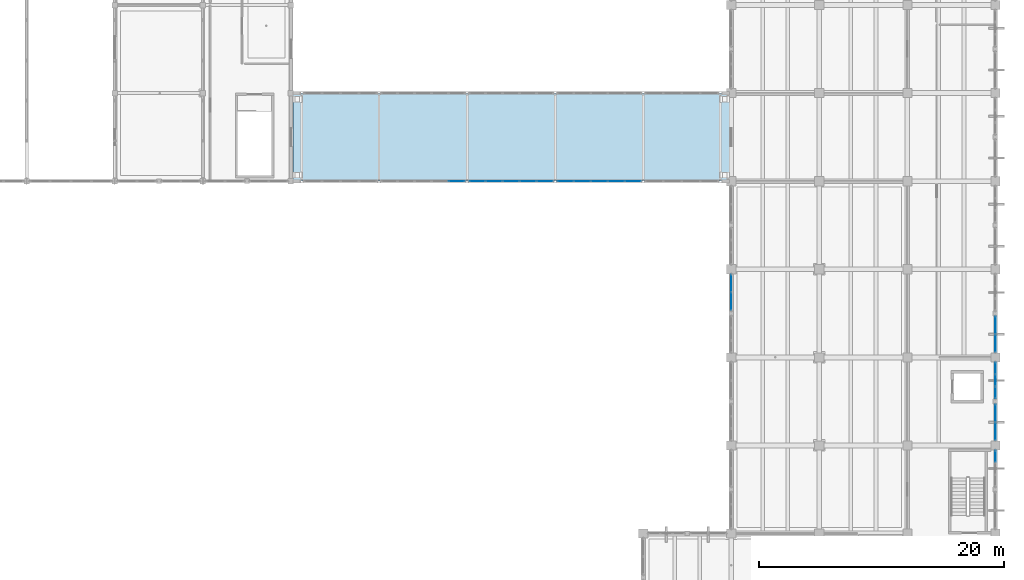
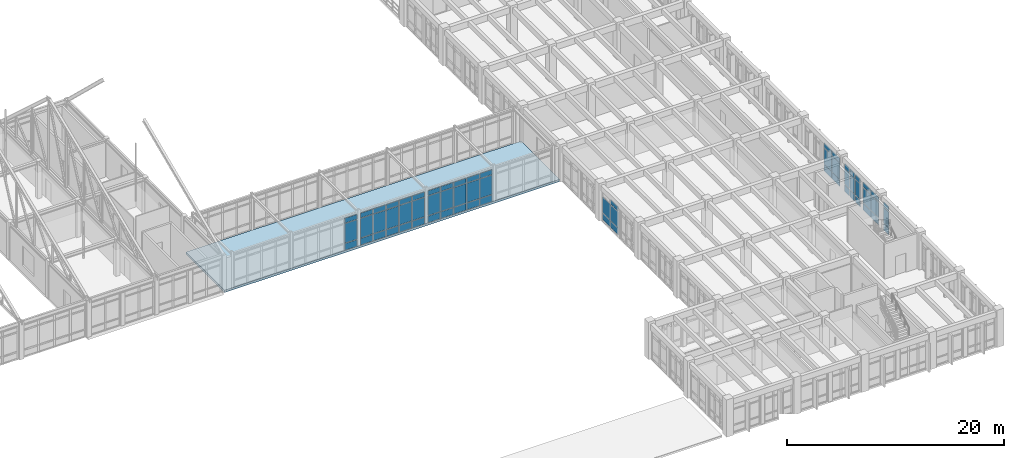
# One storey, part 89 of 136: 62 plates, 1 slab, 8 elements without a shape of their own.
"""IFC4 building model written with IfcOpenShell, lengths in metres."""

from ifc_helpers import new_model, si_unit, direction, frame, origin, origin_2d, place, context, subcontext, project, spatial, polyline, rectangle, outline, extrude, material, layer, layer_set, type_object, element, aggregate, save


model = new_model("IFC4")

# Units and contexts
model_context = context("Model", 3, precision=1e-05, world=origin(), true_north=direction((0.0, 1.0)))
body_context = subcontext(model_context, "Body", "Model", "MODEL_VIEW")
ifc_project = project(units=[si_unit("LENGTHUNIT", "METRE"), si_unit("AREAUNIT", "SQUARE_METRE"), si_unit("VOLUMEUNIT", "CUBIC_METRE"), si_unit("PLANEANGLEUNIT", "RADIAN"), si_unit("MASSUNIT", "GRAM", prefix="KILO")], contexts=[model_context])

# Site, building, storey
site_placement = place(None, origin())
site = spatial("IfcSite", under=ifc_project, at=site_placement, CompositionType="ELEMENT")
building_placement = place(site_placement, origin())
building = spatial("IfcBuilding", under=site, at=building_placement, Name="Koriwan Promenade Central Fire Station", CompositionType="ELEMENT")
storey_placement = place(building_placement, frame((0.0, 0.0, 5.39990234375)))
storey = spatial("IfcBuildingStorey", under=building, at=storey_placement, Name="L01", CompositionType="ELEMENT", Elevation=5.39990234375)

# Curtain wall, plates
ifc_material_1 = material(Name="Aluminium EN AW-6063-T6 and low-E glazing", Category="aluminium")
ifc_layer_1 = layer(ifc_material_1, 0.159912109375, Name="Aluminium EN AW-6063-T6 and low-E glazing")
ifc_layer_set_1 = layer_set([ifc_layer_1], Name="Aluminium EN AW-6063-T6 and low-E glazing")
curtain_wall_type_1 = type_object("IfcCurtainWallType", Name="CurtainWall_68_302x334", PredefinedType="USERDEFINED", material=ifc_layer_set_1)
curtain_wall_1_placement = place(storey_placement, origin())
curtain_wall_1 = element("IfcCurtainWall", 1, at=curtain_wall_1_placement, inside=storey, type_object=curtain_wall_type_1, Name="V5 L01 unitised curtain wall 180", ObjectType="UNITISED CURTAIN WALL", PredefinedType="USERDEFINED")
ifc_material_2 = material(Name="Solar-control low-E acoustic glazing", Category="glass")
ifc_layer_2 = layer(ifc_material_2, 0.031982421875, Name="Solar-control low-E acoustic glazing")
ifc_layer_set_2 = layer_set([ifc_layer_2], Name="Solar-control low-E acoustic glazing")
plate_type = type_object("IfcPlateType", Name="CWPanel_32", PredefinedType="CURTAIN_PANEL", material=ifc_layer_set_2)
plate_1_placement = place(storey_placement, frame((151.199951171875, 33.375, 0.0751953125), z_axis=(0.0, 0.0, 1.0), x_axis=(0.0, 1.0, 0.0)))
plate_1 = element("IfcPlate", 2, at=plate_1_placement, type_object=plate_type, Name="CW-68 panel 1.1", PredefinedType="CURTAIN_PANEL", context=body_context, shape_type="SweptSolid", body=[
    extrude(rectangle(XDim=1.39990234375, YDim=0.031982421875, at=origin_2d()), origin(), (0.0, 0.0, 1.0), 0.737548828125),
])
plate_2_placement = place(storey_placement, frame((151.199951171875, 33.375, 0.8876953125), z_axis=(0.0, 0.0, 1.0), x_axis=(0.0, 1.0, 0.0)))
plate_2 = element("IfcPlate", 3, at=plate_2_placement, type_object=plate_type, Name="CW-68 panel 1.2", PredefinedType="CURTAIN_PANEL", context=body_context, shape_type="SweptSolid", body=[
    extrude(rectangle(XDim=1.39990234375, YDim=0.031982421875, at=origin_2d()), origin(), (0.0, 0.0, 1.0), 1.764892578125),
])
plate_3_placement = place(storey_placement, frame((151.199951171875, 33.375, 2.7275390625), z_axis=(0.0, 0.0, 1.0), x_axis=(0.0, 1.0, 0.0)))
plate_3 = element("IfcPlate", 4, at=plate_3_placement, type_object=plate_type, Name="CW-68 panel 1.3", PredefinedType="CURTAIN_PANEL", context=body_context, shape_type="SweptSolid", body=[
    extrude(rectangle(XDim=1.39990234375, YDim=0.031982421875, at=origin_2d()), origin(), (0.0, 0.0, 1.0), 0.53759765625),
])
plate_4_placement = place(storey_placement, frame((151.199951171875, 34.85009765625, 0.0751953125), z_axis=(0.0, 0.0, 1.0), x_axis=(0.0, 1.0, 0.0)))
plate_4 = element("IfcPlate", 5, at=plate_4_placement, type_object=plate_type, Name="CW-68 panel 2.1", PredefinedType="CURTAIN_PANEL", context=body_context, shape_type="SweptSolid", body=[
    extrude(rectangle(XDim=1.39990234375, YDim=0.031982421875, at=origin_2d()), origin(), (0.0, 0.0, 1.0), 0.737548828125),
])
plate_5_placement = place(storey_placement, frame((151.199951171875, 34.85009765625, 0.8876953125), z_axis=(0.0, 0.0, 1.0), x_axis=(0.0, 1.0, 0.0)))
plate_5 = element("IfcPlate", 6, at=plate_5_placement, type_object=plate_type, Name="CW-68 panel 2.2", PredefinedType="CURTAIN_PANEL", context=body_context, shape_type="SweptSolid", body=[
    extrude(rectangle(XDim=1.39990234375, YDim=0.031982421875, at=origin_2d()), origin(), (0.0, 0.0, 1.0), 1.764892578125),
])
aggregate(curtain_wall_1, [plate_1, plate_2, plate_3, plate_4, plate_5])

ifc_layer_3 = layer(ifc_material_1, 0.159912109375, Name="Aluminium EN AW-6063-T6 and low-E glazing")
ifc_layer_set_3 = layer_set([ifc_layer_3], Name="Aluminium EN AW-6063-T6 and low-E glazing")
curtain_wall_type_2 = type_object("IfcCurtainWallType", Name="CurtainWall_64_303x334", PredefinedType="USERDEFINED", material=ifc_layer_set_3)
curtain_wall_2_placement = place(storey_placement, origin())
curtain_wall_2 = element("IfcCurtainWall", 7, at=curtain_wall_2_placement, inside=storey, type_object=curtain_wall_type_2, Name="V5 L01 unitised curtain wall 200", ObjectType="UNITISED CURTAIN WALL", PredefinedType="USERDEFINED")
plate_6_placement = place(storey_placement, frame((172.800048828125, 31.425048828125, 0.0751953125), z_axis=(0.0, 0.0, 1.0), x_axis=(0.0, -1.0, 0.0)))
plate_6 = element("IfcPlate", 8, at=plate_6_placement, type_object=plate_type, Name="CW-64 panel 1.1", PredefinedType="CURTAIN_PANEL", context=body_context, shape_type="SweptSolid", body=[
    extrude(rectangle(XDim=1.39990234375, YDim=0.031982421875, at=origin_2d()), origin(), (0.0, 0.0, 1.0), 0.737548828125),
])
plate_7_placement = place(storey_placement, frame((172.800048828125, 31.425048828125, 0.8876953125), z_axis=(0.0, 0.0, 1.0), x_axis=(0.0, -1.0, 0.0)))
plate_7 = element("IfcPlate", 9, at=plate_7_placement, type_object=plate_type, Name="CW-64 panel 1.2", PredefinedType="CURTAIN_PANEL", context=body_context, shape_type="SweptSolid", body=[
    extrude(rectangle(XDim=1.39990234375, YDim=0.031982421875, at=origin_2d()), origin(), (0.0, 0.0, 1.0), 1.764892578125),
])
plate_8_placement = place(storey_placement, frame((172.800048828125, 31.425048828125, 2.7275390625), z_axis=(0.0, 0.0, 1.0), x_axis=(0.0, -1.0, 0.0)))
plate_8 = element("IfcPlate", 10, at=plate_8_placement, type_object=plate_type, Name="CW-64 panel 1.3", PredefinedType="CURTAIN_PANEL", context=body_context, shape_type="SweptSolid", body=[
    extrude(rectangle(XDim=1.39990234375, YDim=0.031982421875, at=origin_2d()), origin(), (0.0, 0.0, 1.0), 0.53759765625),
])
plate_9_placement = place(storey_placement, frame((172.800048828125, 29.949951171875, 0.0751953125), z_axis=(0.0, 0.0, 1.0), x_axis=(0.0, -1.0, 0.0)))
plate_9 = element("IfcPlate", 11, at=plate_9_placement, type_object=plate_type, Name="CW-64 panel 2.1", PredefinedType="CURTAIN_PANEL", context=body_context, shape_type="SweptSolid", body=[
    extrude(rectangle(XDim=1.39990234375, YDim=0.031982421875, at=origin_2d()), origin(), (0.0, 0.0, 1.0), 0.737548828125),
])
plate_10_placement = place(storey_placement, frame((172.800048828125, 29.949951171875, 0.8876953125), z_axis=(0.0, 0.0, 1.0), x_axis=(0.0, -1.0, 0.0)))
plate_10 = element("IfcPlate", 12, at=plate_10_placement, type_object=plate_type, Name="CW-64 panel 2.2", PredefinedType="CURTAIN_PANEL", context=body_context, shape_type="SweptSolid", body=[
    extrude(rectangle(XDim=1.39990234375, YDim=0.031982421875, at=origin_2d()), origin(), (0.0, 0.0, 1.0), 1.764892578125),
])
plate_11_placement = place(storey_placement, frame((172.800048828125, 29.949951171875, 2.7275390625), z_axis=(0.0, 0.0, 1.0), x_axis=(0.0, -1.0, 0.0)))
plate_11 = element("IfcPlate", 13, at=plate_11_placement, type_object=plate_type, Name="CW-64 panel 2.3", PredefinedType="CURTAIN_PANEL", context=body_context, shape_type="SweptSolid", body=[
    extrude(rectangle(XDim=1.39990234375, YDim=0.031982421875, at=origin_2d()), origin(), (0.0, 0.0, 1.0), 0.53759765625),
])
aggregate(curtain_wall_2, [plate_6, plate_7, plate_8, plate_9, plate_10, plate_11])

ifc_layer_4 = layer(ifc_material_1, 0.159912109375, Name="Aluminium EN AW-6063-T6 and low-E glazing")
ifc_layer_set_4 = layer_set([ifc_layer_4], Name="Aluminium EN AW-6063-T6 and low-E glazing")
curtain_wall_type_3 = type_object("IfcCurtainWallType", Name="CurtainWall_61_303x329", PredefinedType="USERDEFINED", material=ifc_layer_set_4)
curtain_wall_3_placement = place(storey_placement, origin())
curtain_wall_3 = element("IfcCurtainWall", 14, at=curtain_wall_3_placement, inside=storey, type_object=curtain_wall_type_3, Name="V5 L01 unitised curtain wall 201", ObjectType="UNITISED CURTAIN WALL", PredefinedType="USERDEFINED")
plate_12_placement = place(storey_placement, frame((172.800048828125, 27.902099609375, 0.0751953125), z_axis=(0.0, 0.0, 1.0), x_axis=(0.0, -1.0, 0.0)))
plate_12 = element("IfcPlate", 15, at=plate_12_placement, type_object=plate_type, Name="CW-61 panel 1.1", PredefinedType="CURTAIN_PANEL", context=body_context, shape_type="SweptSolid", body=[
    extrude(rectangle(XDim=0.895751953125, YDim=0.031982421875, at=origin_2d()), origin(), (0.0, 0.0, 1.0), 0.737548828125),
])
plate_13_placement = place(storey_placement, frame((172.800048828125, 27.902099609375, 0.8876953125), z_axis=(0.0, 0.0, 1.0), x_axis=(0.0, -1.0, 0.0)))
plate_13 = element("IfcPlate", 16, at=plate_13_placement, type_object=plate_type, Name="CW-61 panel 1.2", PredefinedType="CURTAIN_PANEL", context=body_context, shape_type="SweptSolid", body=[
    extrude(rectangle(XDim=0.895751953125, YDim=0.031982421875, at=origin_2d()), origin(), (0.0, 0.0, 1.0), 1.715087890625),
])
plate_14_placement = place(storey_placement, frame((172.800048828125, 27.902099609375, 2.677490234375), z_axis=(0.0, 0.0, 1.0), x_axis=(0.0, -1.0, 0.0)))
plate_14 = element("IfcPlate", 17, at=plate_14_placement, type_object=plate_type, Name="CW-61 panel 1.3", PredefinedType="CURTAIN_PANEL", context=body_context, shape_type="SweptSolid", body=[
    extrude(rectangle(XDim=0.895751953125, YDim=0.031982421875, at=origin_2d()), origin(), (0.0, 0.0, 1.0), 0.53759765625),
])
plate_15_placement = place(storey_placement, frame((172.800048828125, 26.91259765625, 0.0751953125), z_axis=(0.0, 0.0, 1.0), x_axis=(0.0, -1.0, 0.0)))
plate_15 = element("IfcPlate", 18, at=plate_15_placement, type_object=plate_type, Name="CW-61 panel 2.1", PredefinedType="CURTAIN_PANEL", context=body_context, shape_type="SweptSolid", body=[
    extrude(rectangle(XDim=0.933349609375, YDim=0.031982421875, at=origin_2d()), origin(), (0.0, 0.0, 1.0), 0.737548828125),
])
plate_16_placement = place(storey_placement, frame((172.800048828125, 26.91259765625, 0.8876953125), z_axis=(0.0, 0.0, 1.0), x_axis=(0.0, -1.0, 0.0)))
plate_16 = element("IfcPlate", 19, at=plate_16_placement, type_object=plate_type, Name="CW-61 panel 2.2", PredefinedType="CURTAIN_PANEL", context=body_context, shape_type="SweptSolid", body=[
    extrude(rectangle(XDim=0.933349609375, YDim=0.031982421875, at=origin_2d()), origin(), (0.0, 0.0, 1.0), 1.715087890625),
])
plate_17_placement = place(storey_placement, frame((172.800048828125, 26.91259765625, 2.677490234375), z_axis=(0.0, 0.0, 1.0), x_axis=(0.0, -1.0, 0.0)))
plate_17 = element("IfcPlate", 20, at=plate_17_placement, type_object=plate_type, Name="CW-61 panel 2.3", PredefinedType="CURTAIN_PANEL", context=body_context, shape_type="SweptSolid", body=[
    extrude(rectangle(XDim=0.933349609375, YDim=0.031982421875, at=origin_2d()), origin(), (0.0, 0.0, 1.0), 0.53759765625),
])
plate_18_placement = place(storey_placement, frame((172.800048828125, 25.9228515625, 0.0751953125), z_axis=(0.0, 0.0, 1.0), x_axis=(0.0, -1.0, 0.0)))
plate_18 = element("IfcPlate", 21, at=plate_18_placement, type_object=plate_type, Name="CW-61 panel 3.1", PredefinedType="CURTAIN_PANEL", context=body_context, shape_type="SweptSolid", body=[
    extrude(rectangle(XDim=0.895751953125, YDim=0.031982421875, at=origin_2d()), origin(), (0.0, 0.0, 1.0), 0.737548828125),
])
plate_19_placement = place(storey_placement, frame((172.800048828125, 25.9228515625, 0.8876953125), z_axis=(0.0, 0.0, 1.0), x_axis=(0.0, -1.0, 0.0)))
plate_19 = element("IfcPlate", 22, at=plate_19_placement, type_object=plate_type, Name="CW-61 panel 3.2", PredefinedType="CURTAIN_PANEL", context=body_context, shape_type="SweptSolid", body=[
    extrude(rectangle(XDim=0.895751953125, YDim=0.031982421875, at=origin_2d()), origin(), (0.0, 0.0, 1.0), 1.715087890625),
])
plate_20_placement = place(storey_placement, frame((172.800048828125, 25.9228515625, 2.677490234375), z_axis=(0.0, 0.0, 1.0), x_axis=(0.0, -1.0, 0.0)))
plate_20 = element("IfcPlate", 23, at=plate_20_placement, type_object=plate_type, Name="CW-61 panel 3.3", PredefinedType="CURTAIN_PANEL", context=body_context, shape_type="SweptSolid", body=[
    extrude(rectangle(XDim=0.895751953125, YDim=0.031982421875, at=origin_2d()), origin(), (0.0, 0.0, 1.0), 0.53759765625),
])
aggregate(curtain_wall_3, [plate_12, plate_13, plate_14, plate_15, plate_16, plate_17, plate_18, plate_19, plate_20])

ifc_layer_5 = layer(ifc_material_1, 0.159912109375, Name="Aluminium EN AW-6063-T6 and low-E glazing")
ifc_layer_set_5 = layer_set([ifc_layer_5], Name="Aluminium EN AW-6063-T6 and low-E glazing")
curtain_wall_type_4 = type_object("IfcCurtainWallType", Name="CurtainWall_07_302x329", PredefinedType="USERDEFINED", material=ifc_layer_set_5)
curtain_wall_4_placement = place(storey_placement, origin())
curtain_wall_4 = element("IfcCurtainWall", 24, at=curtain_wall_4_placement, inside=storey, type_object=curtain_wall_type_4, Name="V5 L01 unitised curtain wall 202", ObjectType="UNITISED CURTAIN WALL", PredefinedType="USERDEFINED")
plate_21_placement = place(storey_placement, frame((172.800048828125, 24.22509765625, 0.0751953125), z_axis=(0.0, 0.0, 1.0), x_axis=(0.0, -1.0, 0.0)))
plate_21 = element("IfcPlate", 25, at=plate_21_placement, type_object=plate_type, Name="CW-07 panel 1.1", PredefinedType="CURTAIN_PANEL", context=body_context, shape_type="SweptSolid", body=[
    extrude(rectangle(XDim=1.39990234375, YDim=0.031982421875, at=origin_2d()), origin(), (0.0, 0.0, 1.0), 0.737548828125),
])
plate_22_placement = place(storey_placement, frame((172.800048828125, 24.22509765625, 0.8876953125), z_axis=(0.0, 0.0, 1.0), x_axis=(0.0, -1.0, 0.0)))
plate_22 = element("IfcPlate", 26, at=plate_22_placement, type_object=plate_type, Name="CW-07 panel 1.2", PredefinedType="CURTAIN_PANEL", context=body_context, shape_type="SweptSolid", body=[
    extrude(rectangle(XDim=1.39990234375, YDim=0.031982421875, at=origin_2d()), origin(), (0.0, 0.0, 1.0), 1.715087890625),
])
plate_23_placement = place(storey_placement, frame((172.800048828125, 24.22509765625, 2.677490234375), z_axis=(0.0, 0.0, 1.0), x_axis=(0.0, -1.0, 0.0)))
plate_23 = element("IfcPlate", 27, at=plate_23_placement, type_object=plate_type, Name="CW-07 panel 1.3", PredefinedType="CURTAIN_PANEL", context=body_context, shape_type="SweptSolid", body=[
    extrude(rectangle(XDim=1.39990234375, YDim=0.031982421875, at=origin_2d()), origin(), (0.0, 0.0, 1.0), 0.53759765625),
])
plate_24_placement = place(storey_placement, frame((172.800048828125, 22.75, 0.0751953125), z_axis=(0.0, 0.0, 1.0), x_axis=(0.0, -1.0, 0.0)))
plate_24 = element("IfcPlate", 28, at=plate_24_placement, type_object=plate_type, Name="CW-07 panel 2.1", PredefinedType="CURTAIN_PANEL", context=body_context, shape_type="SweptSolid", body=[
    extrude(rectangle(XDim=1.39990234375, YDim=0.031982421875, at=origin_2d()), origin(), (0.0, 0.0, 1.0), 0.737548828125),
])
plate_25_placement = place(storey_placement, frame((172.800048828125, 22.75, 0.8876953125), z_axis=(0.0, 0.0, 1.0), x_axis=(0.0, -1.0, 0.0)))
plate_25 = element("IfcPlate", 29, at=plate_25_placement, type_object=plate_type, Name="CW-07 panel 2.2", PredefinedType="CURTAIN_PANEL", context=body_context, shape_type="SweptSolid", body=[
    extrude(rectangle(XDim=1.39990234375, YDim=0.031982421875, at=origin_2d()), origin(), (0.0, 0.0, 1.0), 1.715087890625),
])
plate_26_placement = place(storey_placement, frame((172.800048828125, 22.75, 2.677490234375), z_axis=(0.0, 0.0, 1.0), x_axis=(0.0, -1.0, 0.0)))
plate_26 = element("IfcPlate", 30, at=plate_26_placement, type_object=plate_type, Name="CW-07 panel 2.3", PredefinedType="CURTAIN_PANEL", context=body_context, shape_type="SweptSolid", body=[
    extrude(rectangle(XDim=1.39990234375, YDim=0.031982421875, at=origin_2d()), origin(), (0.0, 0.0, 1.0), 0.53759765625),
])
aggregate(curtain_wall_4, [plate_21, plate_22, plate_23, plate_24, plate_25, plate_26])

ifc_layer_6 = layer(ifc_material_1, 0.159912109375, Name="Aluminium EN AW-6063-T6 and low-E glazing")
ifc_layer_set_6 = layer_set([ifc_layer_6], Name="Aluminium EN AW-6063-T6 and low-E glazing")
curtain_wall_type_5 = type_object("IfcCurtainWallType", Name="CurtainWall_67_303x334", PredefinedType="USERDEFINED", material=ifc_layer_set_6)
curtain_wall_5_placement = place(storey_placement, origin())
curtain_wall_5 = element("IfcCurtainWall", 31, at=curtain_wall_5_placement, inside=storey, type_object=curtain_wall_type_5, Name="V5 L01 unitised curtain wall 203", ObjectType="UNITISED CURTAIN WALL", PredefinedType="USERDEFINED")
plate_27_placement = place(storey_placement, frame((172.800048828125, 20.7021484375, 0.0751953125), z_axis=(0.0, 0.0, 1.0), x_axis=(0.0, -1.0, 0.0)))
plate_27 = element("IfcPlate", 32, at=plate_27_placement, type_object=plate_type, Name="CW-67 panel 1.1", PredefinedType="CURTAIN_PANEL", context=body_context, shape_type="SweptSolid", body=[
    extrude(rectangle(XDim=0.895751953125, YDim=0.031982421875, at=origin_2d()), origin(), (0.0, 0.0, 1.0), 0.737548828125),
])
plate_28_placement = place(storey_placement, frame((172.800048828125, 20.7021484375, 0.8876953125), z_axis=(0.0, 0.0, 1.0), x_axis=(0.0, -1.0, 0.0)))
plate_28 = element("IfcPlate", 33, at=plate_28_placement, type_object=plate_type, Name="CW-67 panel 1.2", PredefinedType="CURTAIN_PANEL", context=body_context, shape_type="SweptSolid", body=[
    extrude(rectangle(XDim=0.895751953125, YDim=0.031982421875, at=origin_2d()), origin(), (0.0, 0.0, 1.0), 1.764892578125),
])
plate_29_placement = place(storey_placement, frame((172.800048828125, 20.7021484375, 2.7275390625), z_axis=(0.0, 0.0, 1.0), x_axis=(0.0, -1.0, 0.0)))
plate_29 = element("IfcPlate", 34, at=plate_29_placement, type_object=plate_type, Name="CW-67 panel 1.3", PredefinedType="CURTAIN_PANEL", context=body_context, shape_type="SweptSolid", body=[
    extrude(rectangle(XDim=0.895751953125, YDim=0.031982421875, at=origin_2d()), origin(), (0.0, 0.0, 1.0), 0.53759765625),
])
aggregate(curtain_wall_5, [plate_27, plate_28, plate_29])

ifc_layer_7 = layer(ifc_material_1, 0.159912109375, Name="Aluminium EN AW-6063-T6 and low-E glazing")
ifc_layer_set_7 = layer_set([ifc_layer_7], Name="Aluminium EN AW-6063-T6 and low-E glazing")
curtain_wall_type_6 = type_object("IfcCurtainWallType", Name="CurtainWall_98_695x374", PredefinedType="USERDEFINED", material=ifc_layer_set_7)
curtain_wall_6_placement = place(storey_placement, origin())
curtain_wall_6 = element("IfcCurtainWall", 35, at=curtain_wall_6_placement, inside=storey, type_object=curtain_wall_type_6, Name="V5 L01 unitised curtain wall 310", ObjectType="UNITISED CURTAIN WALL", PredefinedType="USERDEFINED")
plate_30_placement = place(storey_placement, frame((128.76123046875, 43.199951171875, 0.0751953125), z_axis=(0.0, 0.0, 1.0), x_axis=(1.0, 0.0, 0.0)))
plate_30 = element("IfcPlate", 36, at=plate_30_placement, type_object=plate_type, Name="CW-98 panel 5.1", PredefinedType="CURTAIN_PANEL", context=body_context, shape_type="SweptSolid", body=[
    extrude(rectangle(XDim=1.277587890625, YDim=0.031982421875, at=origin_2d()), origin(), (0.0, 0.0, 1.0), 0.737548828125),
])
plate_31_placement = place(storey_placement, frame((128.76123046875, 43.199951171875, 0.8876953125), z_axis=(0.0, 0.0, 1.0), x_axis=(1.0, 0.0, 0.0)))
plate_31 = element("IfcPlate", 37, at=plate_31_placement, type_object=plate_type, Name="CW-98 panel 5.2", PredefinedType="CURTAIN_PANEL", context=body_context, shape_type="SweptSolid", body=[
    extrude(rectangle(XDim=1.277587890625, YDim=0.031982421875, at=origin_2d()), origin(), (0.0, 0.0, 1.0), 2.1650390625),
])
plate_32_placement = place(storey_placement, frame((128.76123046875, 43.199951171875, 3.12744140625), z_axis=(0.0, 0.0, 1.0), x_axis=(1.0, 0.0, 0.0)))
plate_32 = element("IfcPlate", 38, at=plate_32_placement, type_object=plate_type, Name="CW-98 panel 5.3", PredefinedType="CURTAIN_PANEL", context=body_context, shape_type="SweptSolid", body=[
    extrude(rectangle(XDim=1.277587890625, YDim=0.031982421875, at=origin_2d()), origin(), (0.0, 0.0, 1.0), 0.53759765625),
])
aggregate(curtain_wall_6, [plate_30, plate_31, plate_32])

curtain_wall_7_placement = place(storey_placement, origin())
curtain_wall_7 = element("IfcCurtainWall", 39, at=curtain_wall_7_placement, inside=storey, type_object=curtain_wall_type_6, Name="V5 L01 unitised curtain wall 312", ObjectType="UNITISED CURTAIN WALL", PredefinedType="USERDEFINED")
plate_33_placement = place(storey_placement, frame((130.438720703125, 43.199951171875, 0.0751953125), z_axis=(0.0, 0.0, 1.0), x_axis=(1.0, 0.0, 0.0)))
plate_33 = element("IfcPlate", 40, at=plate_33_placement, type_object=plate_type, Name="CW-98 panel 1.1", PredefinedType="CURTAIN_PANEL", context=body_context, shape_type="SweptSolid", body=[
    extrude(rectangle(XDim=1.277587890625, YDim=0.031982421875, at=origin_2d()), origin(), (0.0, 0.0, 1.0), 0.737548828125),
])
plate_34_placement = place(storey_placement, frame((130.438720703125, 43.199951171875, 0.8876953125), z_axis=(0.0, 0.0, 1.0), x_axis=(1.0, 0.0, 0.0)))
plate_34 = element("IfcPlate", 41, at=plate_34_placement, type_object=plate_type, Name="CW-98 panel 1.2", PredefinedType="CURTAIN_PANEL", context=body_context, shape_type="SweptSolid", body=[
    extrude(rectangle(XDim=1.277587890625, YDim=0.031982421875, at=origin_2d()), origin(), (0.0, 0.0, 1.0), 2.1650390625),
])
plate_35_placement = place(storey_placement, frame((130.438720703125, 43.199951171875, 3.12744140625), z_axis=(0.0, 0.0, 1.0), x_axis=(1.0, 0.0, 0.0)))
plate_35 = element("IfcPlate", 42, at=plate_35_placement, type_object=plate_type, Name="CW-98 panel 1.3", PredefinedType="CURTAIN_PANEL", context=body_context, shape_type="SweptSolid", body=[
    extrude(rectangle(XDim=1.277587890625, YDim=0.031982421875, at=origin_2d()), origin(), (0.0, 0.0, 1.0), 0.53759765625),
])
plate_36_placement = place(storey_placement, frame((131.81005859375, 43.199951171875, 0.0751953125), z_axis=(0.0, 0.0, 1.0), x_axis=(1.0, 0.0, 0.0)))
plate_36 = element("IfcPlate", 43, at=plate_36_placement, type_object=plate_type, Name="CW-98 panel 2.1", PredefinedType="CURTAIN_PANEL", context=body_context, shape_type="SweptSolid", body=[
    extrude(rectangle(XDim=1.31494140625, YDim=0.031982421875, at=origin_2d()), origin(), (0.0, 0.0, 1.0), 0.737548828125),
])
plate_37_placement = place(storey_placement, frame((131.81005859375, 43.199951171875, 0.8876953125), z_axis=(0.0, 0.0, 1.0), x_axis=(1.0, 0.0, 0.0)))
plate_37 = element("IfcPlate", 44, at=plate_37_placement, type_object=plate_type, Name="CW-98 panel 2.2", PredefinedType="CURTAIN_PANEL", context=body_context, shape_type="SweptSolid", body=[
    extrude(rectangle(XDim=1.31494140625, YDim=0.031982421875, at=origin_2d()), origin(), (0.0, 0.0, 1.0), 2.1650390625),
])
plate_38_placement = place(storey_placement, frame((131.81005859375, 43.199951171875, 3.12744140625), z_axis=(0.0, 0.0, 1.0), x_axis=(1.0, 0.0, 0.0)))
plate_38 = element("IfcPlate", 45, at=plate_38_placement, type_object=plate_type, Name="CW-98 panel 2.3", PredefinedType="CURTAIN_PANEL", context=body_context, shape_type="SweptSolid", body=[
    extrude(rectangle(XDim=1.31494140625, YDim=0.031982421875, at=origin_2d()), origin(), (0.0, 0.0, 1.0), 0.53759765625),
])
plate_39_placement = place(storey_placement, frame((133.199951171875, 43.199951171875, 0.0751953125), z_axis=(0.0, 0.0, 1.0), x_axis=(1.0, 0.0, 0.0)))
plate_39 = element("IfcPlate", 46, at=plate_39_placement, type_object=plate_type, Name="CW-98 panel 3.1", PredefinedType="CURTAIN_PANEL", context=body_context, shape_type="SweptSolid", body=[
    extrude(rectangle(XDim=1.31494140625, YDim=0.031982421875, at=origin_2d()), origin(), (0.0, 0.0, 1.0), 0.737548828125),
])
plate_40_placement = place(storey_placement, frame((133.199951171875, 43.199951171875, 0.8876953125), z_axis=(0.0, 0.0, 1.0), x_axis=(1.0, 0.0, 0.0)))
plate_40 = element("IfcPlate", 47, at=plate_40_placement, type_object=plate_type, Name="CW-98 panel 3.2", PredefinedType="CURTAIN_PANEL", context=body_context, shape_type="SweptSolid", body=[
    extrude(rectangle(XDim=1.31494140625, YDim=0.031982421875, at=origin_2d()), origin(), (0.0, 0.0, 1.0), 2.1650390625),
])
plate_41_placement = place(storey_placement, frame((133.199951171875, 43.199951171875, 3.12744140625), z_axis=(0.0, 0.0, 1.0), x_axis=(1.0, 0.0, 0.0)))
plate_41 = element("IfcPlate", 48, at=plate_41_placement, type_object=plate_type, Name="CW-98 panel 3.3", PredefinedType="CURTAIN_PANEL", context=body_context, shape_type="SweptSolid", body=[
    extrude(rectangle(XDim=1.31494140625, YDim=0.031982421875, at=origin_2d()), origin(), (0.0, 0.0, 1.0), 0.53759765625),
])
plate_42_placement = place(storey_placement, frame((134.590087890625, 43.199951171875, 0.0751953125), z_axis=(0.0, 0.0, 1.0), x_axis=(1.0, 0.0, 0.0)))
plate_42 = element("IfcPlate", 49, at=plate_42_placement, type_object=plate_type, Name="CW-98 panel 4.1", PredefinedType="CURTAIN_PANEL", context=body_context, shape_type="SweptSolid", body=[
    extrude(rectangle(XDim=1.31494140625, YDim=0.031982421875, at=origin_2d()), origin(), (0.0, 0.0, 1.0), 0.737548828125),
])
plate_43_placement = place(storey_placement, frame((134.590087890625, 43.199951171875, 0.8876953125), z_axis=(0.0, 0.0, 1.0), x_axis=(1.0, 0.0, 0.0)))
plate_43 = element("IfcPlate", 50, at=plate_43_placement, type_object=plate_type, Name="CW-98 panel 4.2", PredefinedType="CURTAIN_PANEL", context=body_context, shape_type="SweptSolid", body=[
    extrude(rectangle(XDim=1.31494140625, YDim=0.031982421875, at=origin_2d()), origin(), (0.0, 0.0, 1.0), 2.1650390625),
])
plate_44_placement = place(storey_placement, frame((134.590087890625, 43.199951171875, 3.12744140625), z_axis=(0.0, 0.0, 1.0), x_axis=(1.0, 0.0, 0.0)))
plate_44 = element("IfcPlate", 51, at=plate_44_placement, type_object=plate_type, Name="CW-98 panel 4.3", PredefinedType="CURTAIN_PANEL", context=body_context, shape_type="SweptSolid", body=[
    extrude(rectangle(XDim=1.31494140625, YDim=0.031982421875, at=origin_2d()), origin(), (0.0, 0.0, 1.0), 0.53759765625),
])
plate_45_placement = place(storey_placement, frame((135.961181640625, 43.199951171875, 0.0751953125), z_axis=(0.0, 0.0, 1.0), x_axis=(1.0, 0.0, 0.0)))
plate_45 = element("IfcPlate", 52, at=plate_45_placement, type_object=plate_type, Name="CW-98 panel 5.1", PredefinedType="CURTAIN_PANEL", context=body_context, shape_type="SweptSolid", body=[
    extrude(rectangle(XDim=1.277587890625, YDim=0.031982421875, at=origin_2d()), origin(), (0.0, 0.0, 1.0), 0.737548828125),
])
plate_46_placement = place(storey_placement, frame((135.961181640625, 43.199951171875, 0.8876953125), z_axis=(0.0, 0.0, 1.0), x_axis=(1.0, 0.0, 0.0)))
plate_46 = element("IfcPlate", 53, at=plate_46_placement, type_object=plate_type, Name="CW-98 panel 5.2", PredefinedType="CURTAIN_PANEL", context=body_context, shape_type="SweptSolid", body=[
    extrude(rectangle(XDim=1.277587890625, YDim=0.031982421875, at=origin_2d()), origin(), (0.0, 0.0, 1.0), 2.1650390625),
])
plate_47_placement = place(storey_placement, frame((135.961181640625, 43.199951171875, 3.12744140625), z_axis=(0.0, 0.0, 1.0), x_axis=(1.0, 0.0, 0.0)))
plate_47 = element("IfcPlate", 54, at=plate_47_placement, type_object=plate_type, Name="CW-98 panel 5.3", PredefinedType="CURTAIN_PANEL", context=body_context, shape_type="SweptSolid", body=[
    extrude(rectangle(XDim=1.277587890625, YDim=0.031982421875, at=origin_2d()), origin(), (0.0, 0.0, 1.0), 0.53759765625),
])
aggregate(curtain_wall_7, [plate_33, plate_34, plate_35, plate_36, plate_37, plate_38, plate_39, plate_40, plate_41, plate_42, plate_43, plate_44, plate_45, plate_46, plate_47])

curtain_wall_8_placement = place(storey_placement, origin())
curtain_wall_8 = element("IfcCurtainWall", 55, at=curtain_wall_8_placement, inside=storey, type_object=curtain_wall_type_6, Name="V5 L01 unitised curtain wall 314", ObjectType="UNITISED CURTAIN WALL", PredefinedType="USERDEFINED")
plate_48_placement = place(storey_placement, frame((137.638671875, 43.199951171875, 0.0751953125), z_axis=(0.0, 0.0, 1.0), x_axis=(1.0, 0.0, 0.0)))
plate_48 = element("IfcPlate", 56, at=plate_48_placement, type_object=plate_type, Name="CW-98 panel 1.1", PredefinedType="CURTAIN_PANEL", context=body_context, shape_type="SweptSolid", body=[
    extrude(rectangle(XDim=1.277587890625, YDim=0.031982421875, at=origin_2d()), origin(), (0.0, 0.0, 1.0), 0.737548828125),
])
plate_49_placement = place(storey_placement, frame((137.638671875, 43.199951171875, 0.8876953125), z_axis=(0.0, 0.0, 1.0), x_axis=(1.0, 0.0, 0.0)))
plate_49 = element("IfcPlate", 57, at=plate_49_placement, type_object=plate_type, Name="CW-98 panel 1.2", PredefinedType="CURTAIN_PANEL", context=body_context, shape_type="SweptSolid", body=[
    extrude(rectangle(XDim=1.277587890625, YDim=0.031982421875, at=origin_2d()), origin(), (0.0, 0.0, 1.0), 2.1650390625),
])
plate_50_placement = place(storey_placement, frame((137.638671875, 43.199951171875, 3.12744140625), z_axis=(0.0, 0.0, 1.0), x_axis=(1.0, 0.0, 0.0)))
plate_50 = element("IfcPlate", 58, at=plate_50_placement, type_object=plate_type, Name="CW-98 panel 1.3", PredefinedType="CURTAIN_PANEL", context=body_context, shape_type="SweptSolid", body=[
    extrude(rectangle(XDim=1.277587890625, YDim=0.031982421875, at=origin_2d()), origin(), (0.0, 0.0, 1.0), 0.53759765625),
])
plate_51_placement = place(storey_placement, frame((139.010009765625, 43.199951171875, 0.0751953125), z_axis=(0.0, 0.0, 1.0), x_axis=(1.0, 0.0, 0.0)))
plate_51 = element("IfcPlate", 59, at=plate_51_placement, type_object=plate_type, Name="CW-98 panel 2.1", PredefinedType="CURTAIN_PANEL", context=body_context, shape_type="SweptSolid", body=[
    extrude(rectangle(XDim=1.31494140625, YDim=0.031982421875, at=origin_2d()), origin(), (0.0, 0.0, 1.0), 0.737548828125),
])
plate_52_placement = place(storey_placement, frame((139.010009765625, 43.199951171875, 0.8876953125), z_axis=(0.0, 0.0, 1.0), x_axis=(1.0, 0.0, 0.0)))
plate_52 = element("IfcPlate", 60, at=plate_52_placement, type_object=plate_type, Name="CW-98 panel 2.2", PredefinedType="CURTAIN_PANEL", context=body_context, shape_type="SweptSolid", body=[
    extrude(rectangle(XDim=1.31494140625, YDim=0.031982421875, at=origin_2d()), origin(), (0.0, 0.0, 1.0), 2.1650390625),
])
plate_53_placement = place(storey_placement, frame((139.010009765625, 43.199951171875, 3.12744140625), z_axis=(0.0, 0.0, 1.0), x_axis=(1.0, 0.0, 0.0)))
plate_53 = element("IfcPlate", 61, at=plate_53_placement, type_object=plate_type, Name="CW-98 panel 2.3", PredefinedType="CURTAIN_PANEL", context=body_context, shape_type="SweptSolid", body=[
    extrude(rectangle(XDim=1.31494140625, YDim=0.031982421875, at=origin_2d()), origin(), (0.0, 0.0, 1.0), 0.53759765625),
])
plate_54_placement = place(storey_placement, frame((140.39990234375, 43.199951171875, 0.0751953125), z_axis=(0.0, 0.0, 1.0), x_axis=(1.0, 0.0, 0.0)))
plate_54 = element("IfcPlate", 62, at=plate_54_placement, type_object=plate_type, Name="CW-98 panel 3.1", PredefinedType="CURTAIN_PANEL", context=body_context, shape_type="SweptSolid", body=[
    extrude(rectangle(XDim=1.31494140625, YDim=0.031982421875, at=origin_2d()), origin(), (0.0, 0.0, 1.0), 0.737548828125),
])
plate_55_placement = place(storey_placement, frame((140.39990234375, 43.199951171875, 0.8876953125), z_axis=(0.0, 0.0, 1.0), x_axis=(1.0, 0.0, 0.0)))
plate_55 = element("IfcPlate", 63, at=plate_55_placement, type_object=plate_type, Name="CW-98 panel 3.2", PredefinedType="CURTAIN_PANEL", context=body_context, shape_type="SweptSolid", body=[
    extrude(rectangle(XDim=1.31494140625, YDim=0.031982421875, at=origin_2d()), origin(), (0.0, 0.0, 1.0), 2.1650390625),
])
plate_56_placement = place(storey_placement, frame((140.39990234375, 43.199951171875, 3.12744140625), z_axis=(0.0, 0.0, 1.0), x_axis=(1.0, 0.0, 0.0)))
plate_56 = element("IfcPlate", 64, at=plate_56_placement, type_object=plate_type, Name="CW-98 panel 3.3", PredefinedType="CURTAIN_PANEL", context=body_context, shape_type="SweptSolid", body=[
    extrude(rectangle(XDim=1.31494140625, YDim=0.031982421875, at=origin_2d()), origin(), (0.0, 0.0, 1.0), 0.53759765625),
])
plate_57_placement = place(storey_placement, frame((141.7900390625, 43.199951171875, 0.0751953125), z_axis=(0.0, 0.0, 1.0), x_axis=(1.0, 0.0, 0.0)))
plate_57 = element("IfcPlate", 65, at=plate_57_placement, type_object=plate_type, Name="CW-98 panel 4.1", PredefinedType="CURTAIN_PANEL", context=body_context, shape_type="SweptSolid", body=[
    extrude(rectangle(XDim=1.31494140625, YDim=0.031982421875, at=origin_2d()), origin(), (0.0, 0.0, 1.0), 0.737548828125),
])
plate_58_placement = place(storey_placement, frame((141.7900390625, 43.199951171875, 0.8876953125), z_axis=(0.0, 0.0, 1.0), x_axis=(1.0, 0.0, 0.0)))
plate_58 = element("IfcPlate", 66, at=plate_58_placement, type_object=plate_type, Name="CW-98 panel 4.2", PredefinedType="CURTAIN_PANEL", context=body_context, shape_type="SweptSolid", body=[
    extrude(rectangle(XDim=1.31494140625, YDim=0.031982421875, at=origin_2d()), origin(), (0.0, 0.0, 1.0), 2.1650390625),
])
plate_59_placement = place(storey_placement, frame((141.7900390625, 43.199951171875, 3.12744140625), z_axis=(0.0, 0.0, 1.0), x_axis=(1.0, 0.0, 0.0)))
plate_59 = element("IfcPlate", 67, at=plate_59_placement, type_object=plate_type, Name="CW-98 panel 4.3", PredefinedType="CURTAIN_PANEL", context=body_context, shape_type="SweptSolid", body=[
    extrude(rectangle(XDim=1.31494140625, YDim=0.031982421875, at=origin_2d()), origin(), (0.0, 0.0, 1.0), 0.53759765625),
])
plate_60_placement = place(storey_placement, frame((143.1611328125, 43.199951171875, 0.0751953125), z_axis=(0.0, 0.0, 1.0), x_axis=(1.0, 0.0, 0.0)))
plate_60 = element("IfcPlate", 68, at=plate_60_placement, type_object=plate_type, Name="CW-98 panel 5.1", PredefinedType="CURTAIN_PANEL", context=body_context, shape_type="SweptSolid", body=[
    extrude(rectangle(XDim=1.277587890625, YDim=0.031982421875, at=origin_2d()), origin(), (0.0, 0.0, 1.0), 0.737548828125),
])
plate_61_placement = place(storey_placement, frame((143.1611328125, 43.199951171875, 0.8876953125), z_axis=(0.0, 0.0, 1.0), x_axis=(1.0, 0.0, 0.0)))
plate_61 = element("IfcPlate", 69, at=plate_61_placement, type_object=plate_type, Name="CW-98 panel 5.2", PredefinedType="CURTAIN_PANEL", context=body_context, shape_type="SweptSolid", body=[
    extrude(rectangle(XDim=1.277587890625, YDim=0.031982421875, at=origin_2d()), origin(), (0.0, 0.0, 1.0), 2.1650390625),
])
plate_62_placement = place(storey_placement, frame((143.1611328125, 43.199951171875, 3.12744140625), z_axis=(0.0, 0.0, 1.0), x_axis=(1.0, 0.0, 0.0)))
plate_62 = element("IfcPlate", 70, at=plate_62_placement, type_object=plate_type, Name="CW-98 panel 5.3", PredefinedType="CURTAIN_PANEL", context=body_context, shape_type="SweptSolid", body=[
    extrude(rectangle(XDim=1.277587890625, YDim=0.031982421875, at=origin_2d()), origin(), (0.0, 0.0, 1.0), 0.53759765625),
])
aggregate(curtain_wall_8, [plate_48, plate_49, plate_50, plate_51, plate_52, plate_53, plate_54, plate_55, plate_56, plate_57, plate_58, plate_59, plate_60, plate_61, plate_62])

# Slab
ifc_material_3 = material(Name="Concrete C35/45", Category="concrete")
ifc_layer_8 = layer(ifc_material_3, 0.25, Name="Concrete C35/45")
ifc_layer_set_8 = layer_set([ifc_layer_8], Name="Concrete C35/45")
slab_type = type_object("IfcSlabType", Name="FloorSlab_250", PredefinedType="FLOOR", material=ifc_layer_set_8)
slab_placement = place(storey_placement, frame((0.0, 0.0, -0.25)))
element("IfcSlab", 71, at=slab_placement, inside=storey, type_object=slab_type, Name="East Transfer Link Bridge floor slab", PredefinedType="FLOOR", context=body_context, shape_type="SweptSolid", body=[
    extrude(outline(polyline([(115.35009765625, 43.239990234375), (151.050048828125, 43.239990234375), (151.050048828125, 50.360107421875), (115.35009765625, 50.360107421875), (115.35009765625, 43.239990234375)])), origin(), (0.0, 0.0, 1.0), 0.25),
])

save(model, "model.ifc")
